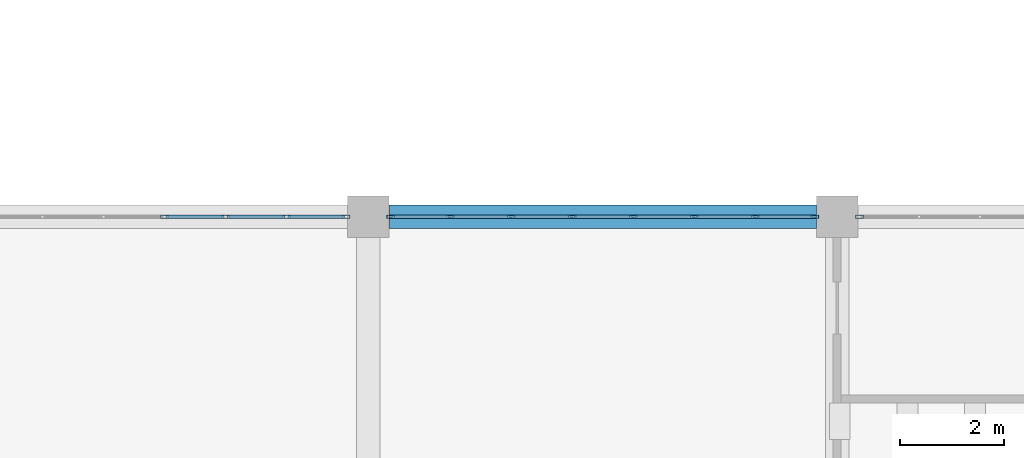
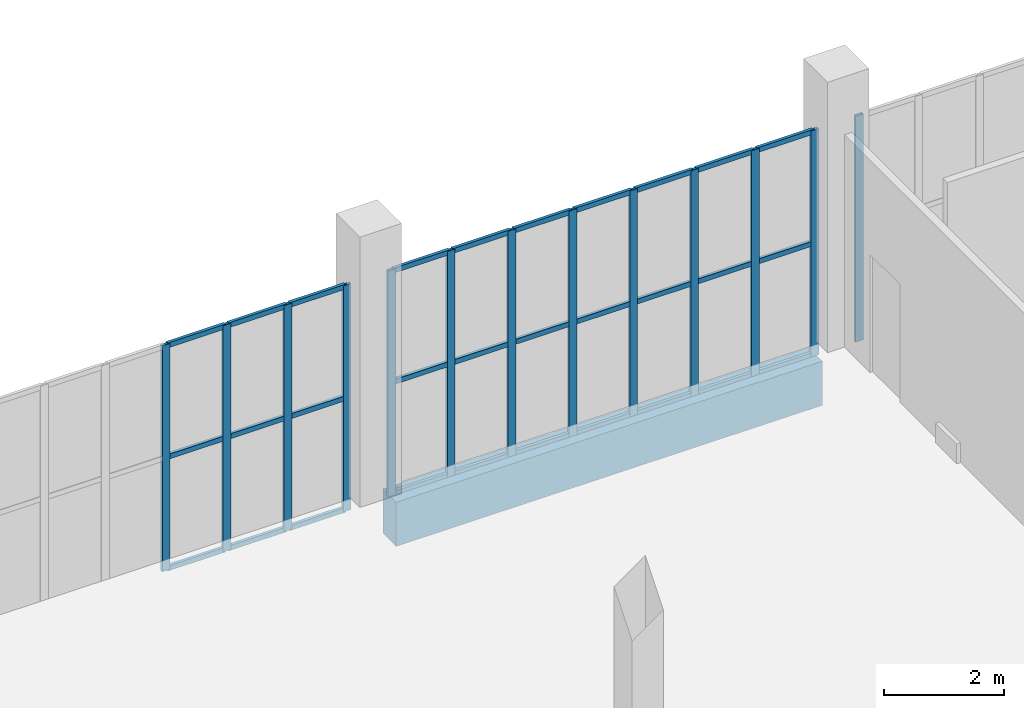
# One storey, part 36 of 185: 43 members, 1 beam, 3 elements without a shape of their own.
"""IFC4 building model written with IfcOpenShell, lengths in metres."""

from ifc_helpers import new_model, si_unit, direction, frame, origin, origin_2d, place, context, subcontext, project, spatial, rectangle, hollow_rectangle, extrude, material, layer, layer_set, material_profile, profile_set, type_object, element, aggregate, save


model = new_model("IFC4")

# Units and contexts
model_context = context("Model", 3, precision=1e-05, world=origin(), true_north=direction((0.0, 1.0)))
body_context = subcontext(model_context, "Body", "Model", "MODEL_VIEW")
ifc_project = project(units=[si_unit("LENGTHUNIT", "METRE"), si_unit("AREAUNIT", "SQUARE_METRE"), si_unit("VOLUMEUNIT", "CUBIC_METRE"), si_unit("PLANEANGLEUNIT", "RADIAN"), si_unit("MASSUNIT", "GRAM", prefix="KILO")], contexts=[model_context])

# Site, building, storey
site_placement = place(None, origin())
site = spatial("IfcSite", under=ifc_project, at=site_placement, CompositionType="ELEMENT")
building_placement = place(site_placement, origin())
building = spatial("IfcBuilding", under=site, at=building_placement, Name="Opaline Strait Convention Centre", CompositionType="ELEMENT")
storey_placement = place(building_placement, frame((0.0, 0.0, 6.0)))
storey = spatial("IfcBuildingStorey", under=building, at=storey_placement, Name="L01", CompositionType="ELEMENT", Elevation=6.0)

# Curtain wall, members
ifc_material_1 = material(Name="Aluminium framed double glazing", Category="aluminium")
ifc_layer = layer(ifc_material_1, 0.199951171875)
ifc_layer_set = layer_set([ifc_layer], Name="Aluminium framed double glazing")
curtain_wall_type = type_object("IfcCurtainWallType", Name="Curtain wall 1250", PredefinedType="NOTDEFINED", material=ifc_layer_set)
curtain_wall_1_placement = place(storey_placement, origin())
curtain_wall_1 = element("IfcCurtainWall", 1, at=curtain_wall_1_placement, inside=storey, type_object=curtain_wall_type, Name="Curtain wall N-36-L01", PredefinedType="NOTDEFINED")
ifc_material_2 = material(Name="Aluminium alloy 6063", Category="aluminium")
ifc_material_profile_1 = material_profile(ifc_material_2, hollow_rectangle(XDim=0.06005859375, YDim=0.14990234375, WallThickness=0.00390625, at=origin_2d()), Name="MULLION 60x150x4")
ifc_profile_set_1 = profile_set([ifc_material_profile_1], Name="Aluminium alloy 6063")
member_type_1 = type_object("IfcMemberType", Name="Curtain wall mullion 60 x 150", PredefinedType="MULLION", material=ifc_profile_set_1)
member_1_placement = place(storey_placement, frame((41.085693359375, 180.0, -0.280029296875), z_axis=(0.0, 0.0, 1.0), x_axis=(0.0, 1.0, 0.0)))
member_1 = element("IfcMember", 2, at=member_1_placement, type_object=member_type_1, Name="PCW mullion 5", PredefinedType="MULLION", context=body_context, shape_type="SweptSolid", body=[
    extrude(hollow_rectangle(XDim=0.06005859375, YDim=0.14990234375, WallThickness=0.00390625, at=origin_2d()), origin(), (0.0, 0.0, 1.0), 4.60009765625),
])
member_2_placement = place(storey_placement, frame((42.257080078125, 180.0, -0.280029296875), z_axis=(0.0, 0.0, 1.0), x_axis=(0.0, 1.0, 0.0)))
member_2 = element("IfcMember", 3, at=member_2_placement, type_object=member_type_1, Name="PCW mullion 6", PredefinedType="MULLION", context=body_context, shape_type="SweptSolid", body=[
    extrude(hollow_rectangle(XDim=0.06005859375, YDim=0.14990234375, WallThickness=0.00390625, at=origin_2d()), origin(), (0.0, 0.0, 1.0), 4.60009765625),
])
member_3_placement = place(storey_placement, frame((43.4287109375, 180.0, -0.280029296875), z_axis=(0.0, 0.0, 1.0), x_axis=(0.0, 1.0, 0.0)))
member_3 = element("IfcMember", 4, at=member_3_placement, type_object=member_type_1, Name="PCW mullion 7", PredefinedType="MULLION", context=body_context, shape_type="SweptSolid", body=[
    extrude(hollow_rectangle(XDim=0.06005859375, YDim=0.14990234375, WallThickness=0.00390625, at=origin_2d()), origin(), (0.0, 0.0, 1.0), 4.60009765625),
])
member_4_placement = place(storey_placement, frame((44.570068359375, 180.0, -0.280029296875), z_axis=(0.0, 0.0, 1.0), x_axis=(0.0, 1.0, 0.0)))
member_4 = element("IfcMember", 5, at=member_4_placement, type_object=member_type_1, Name="PCW mullion 8", PredefinedType="MULLION", context=body_context, shape_type="SweptSolid", body=[
    extrude(hollow_rectangle(XDim=0.06005859375, YDim=0.14990234375, WallThickness=0.00390625, at=origin_2d()), origin(), (0.0, 0.0, 1.0), 4.60009765625),
])

curtain_wall_2_placement = place(storey_placement, origin())
curtain_wall_2 = element("IfcCurtainWall", 6, at=curtain_wall_2_placement, inside=storey, type_object=curtain_wall_type, Name="Curtain wall N-45-L01", PredefinedType="NOTDEFINED")
member_5_placement = place(storey_placement, frame((45.429931640625, 180.0, -0.280029296875), z_axis=(0.0, 0.0, 1.0), x_axis=(0.0, 1.0, 0.0)))
member_5 = element("IfcMember", 7, at=member_5_placement, type_object=member_type_1, Name="PCW mullion 1", PredefinedType="MULLION", context=body_context, shape_type="SweptSolid", body=[
    extrude(hollow_rectangle(XDim=0.06005859375, YDim=0.14990234375, WallThickness=0.00390625, at=origin_2d()), origin(), (0.0, 0.0, 1.0), 4.60009765625),
])
member_6_placement = place(storey_placement, frame((46.5712890625, 180.0, -0.280029296875), z_axis=(0.0, 0.0, 1.0), x_axis=(0.0, 1.0, 0.0)))
member_6 = element("IfcMember", 8, at=member_6_placement, type_object=member_type_1, Name="PCW mullion 2", PredefinedType="MULLION", context=body_context, shape_type="SweptSolid", body=[
    extrude(hollow_rectangle(XDim=0.06005859375, YDim=0.14990234375, WallThickness=0.00390625, at=origin_2d()), origin(), (0.0, 0.0, 1.0), 4.60009765625),
])
member_7_placement = place(storey_placement, frame((47.742919921875, 180.0, -0.280029296875), z_axis=(0.0, 0.0, 1.0), x_axis=(0.0, 1.0, 0.0)))
member_7 = element("IfcMember", 9, at=member_7_placement, type_object=member_type_1, Name="PCW mullion 3", PredefinedType="MULLION", context=body_context, shape_type="SweptSolid", body=[
    extrude(hollow_rectangle(XDim=0.06005859375, YDim=0.14990234375, WallThickness=0.00390625, at=origin_2d()), origin(), (0.0, 0.0, 1.0), 4.60009765625),
])
member_8_placement = place(storey_placement, frame((48.914306640625, 180.0, -0.280029296875), z_axis=(0.0, 0.0, 1.0), x_axis=(0.0, 1.0, 0.0)))
member_8 = element("IfcMember", 10, at=member_8_placement, type_object=member_type_1, Name="PCW mullion 4", PredefinedType="MULLION", context=body_context, shape_type="SweptSolid", body=[
    extrude(hollow_rectangle(XDim=0.06005859375, YDim=0.14990234375, WallThickness=0.00390625, at=origin_2d()), origin(), (0.0, 0.0, 1.0), 4.60009765625),
])
member_9_placement = place(storey_placement, frame((50.085693359375, 180.0, -0.280029296875), z_axis=(0.0, 0.0, 1.0), x_axis=(0.0, 1.0, 0.0)))
member_9 = element("IfcMember", 11, at=member_9_placement, type_object=member_type_1, Name="PCW mullion 5", PredefinedType="MULLION", context=body_context, shape_type="SweptSolid", body=[
    extrude(hollow_rectangle(XDim=0.06005859375, YDim=0.14990234375, WallThickness=0.00390625, at=origin_2d()), origin(), (0.0, 0.0, 1.0), 4.60009765625),
])
member_10_placement = place(storey_placement, frame((51.257080078125, 180.0, -0.280029296875), z_axis=(0.0, 0.0, 1.0), x_axis=(0.0, 1.0, 0.0)))
member_10 = element("IfcMember", 12, at=member_10_placement, type_object=member_type_1, Name="PCW mullion 6", PredefinedType="MULLION", context=body_context, shape_type="SweptSolid", body=[
    extrude(hollow_rectangle(XDim=0.06005859375, YDim=0.14990234375, WallThickness=0.00390625, at=origin_2d()), origin(), (0.0, 0.0, 1.0), 4.60009765625),
])
member_11_placement = place(storey_placement, frame((52.4287109375, 180.0, -0.280029296875), z_axis=(0.0, 0.0, 1.0), x_axis=(0.0, 1.0, 0.0)))
member_11 = element("IfcMember", 13, at=member_11_placement, type_object=member_type_1, Name="PCW mullion 7", PredefinedType="MULLION", context=body_context, shape_type="SweptSolid", body=[
    extrude(hollow_rectangle(XDim=0.06005859375, YDim=0.14990234375, WallThickness=0.00390625, at=origin_2d()), origin(), (0.0, 0.0, 1.0), 4.60009765625),
])
member_12_placement = place(storey_placement, frame((53.570068359375, 180.0, -0.280029296875), z_axis=(0.0, 0.0, 1.0), x_axis=(0.0, 1.0, 0.0)))
member_12 = element("IfcMember", 14, at=member_12_placement, type_object=member_type_1, Name="PCW mullion 8", PredefinedType="MULLION", context=body_context, shape_type="SweptSolid", body=[
    extrude(hollow_rectangle(XDim=0.06005859375, YDim=0.14990234375, WallThickness=0.00390625, at=origin_2d()), origin(), (0.0, 0.0, 1.0), 4.60009765625),
])

# Curtain wall, member
curtain_wall_3_placement = place(storey_placement, origin())
curtain_wall_3 = element("IfcCurtainWall", 15, at=curtain_wall_3_placement, inside=storey, type_object=curtain_wall_type, Name="Curtain wall N-54-L01", PredefinedType="NOTDEFINED")
member_13_placement = place(storey_placement, frame((54.429931640625, 180.0, -0.280029296875), z_axis=(0.0, 0.0, 1.0), x_axis=(0.0, 1.0, 0.0)))
member_13 = element("IfcMember", 16, at=member_13_placement, type_object=member_type_1, Name="PCW mullion 1", PredefinedType="MULLION", context=body_context, shape_type="SweptSolid", body=[
    extrude(hollow_rectangle(XDim=0.06005859375, YDim=0.14990234375, WallThickness=0.00390625, at=origin_2d()), origin(), (0.0, 0.0, 1.0), 4.60009765625),
])
aggregate(curtain_wall_3, [member_13])

# Member
ifc_material_profile_2 = material_profile(ifc_material_2, hollow_rectangle(XDim=0.06005859375, YDim=0.10009765625, WallThickness=0.0029296875, at=origin_2d()), Name="TRANSOM 60x100x3")
ifc_profile_set_2 = profile_set([ifc_material_profile_2], Name="Aluminium alloy 6063")
member_type_2 = type_object("IfcMemberType", Name="Curtain wall transom 60 x 100", PredefinedType="USERDEFINED", material=ifc_profile_set_2)
member_14_placement = place(storey_placement, frame((41.11572265625, 180.0, -0.25), z_axis=(1.0, 0.0, 0.0), x_axis=(0.0, 1.0, 0.0)))
member_14 = element("IfcMember", 17, at=member_14_placement, type_object=member_type_2, Name="PCW transom 5.1", ObjectType="TRANSOM", PredefinedType="USERDEFINED", context=body_context, shape_type="SweptSolid", body=[
    extrude(hollow_rectangle(XDim=0.06005859375, YDim=0.10009765625, WallThickness=0.0029296875, at=origin_2d()), origin(), (0.0, 0.0, 1.0), 1.111572265625),
])

member_15_placement = place(storey_placement, frame((41.11572265625, 180.0, 2.02001953125), z_axis=(1.0, 0.0, 0.0), x_axis=(0.0, 1.0, 0.0)))
member_15 = element("IfcMember", 18, at=member_15_placement, type_object=member_type_2, Name="PCW transom 5.2", ObjectType="TRANSOM", PredefinedType="USERDEFINED", context=body_context, shape_type="SweptSolid", body=[
    extrude(hollow_rectangle(XDim=0.06005859375, YDim=0.10009765625, WallThickness=0.0029296875, at=origin_2d()), origin(), (0.0, 0.0, 1.0), 1.111572265625),
])

member_16_placement = place(storey_placement, frame((41.11572265625, 180.0, 4.2900390625), z_axis=(1.0, 0.0, 0.0), x_axis=(0.0, 1.0, 0.0)))
member_16 = element("IfcMember", 19, at=member_16_placement, type_object=member_type_2, Name="PCW transom 5.3", ObjectType="TRANSOM", PredefinedType="USERDEFINED", context=body_context, shape_type="SweptSolid", body=[
    extrude(hollow_rectangle(XDim=0.06005859375, YDim=0.10009765625, WallThickness=0.0029296875, at=origin_2d()), origin(), (0.0, 0.0, 1.0), 1.111572265625),
])

member_17_placement = place(storey_placement, frame((42.287109375, 180.0, -0.25), z_axis=(1.0, 0.0, 0.0), x_axis=(0.0, 1.0, 0.0)))
member_17 = element("IfcMember", 20, at=member_17_placement, type_object=member_type_2, Name="PCW transom 6.1", ObjectType="TRANSOM", PredefinedType="USERDEFINED", context=body_context, shape_type="SweptSolid", body=[
    extrude(hollow_rectangle(XDim=0.06005859375, YDim=0.10009765625, WallThickness=0.0029296875, at=origin_2d()), origin(), (0.0, 0.0, 1.0), 1.111572265625),
])

member_18_placement = place(storey_placement, frame((42.287109375, 180.0, 2.02001953125), z_axis=(1.0, 0.0, 0.0), x_axis=(0.0, 1.0, 0.0)))
member_18 = element("IfcMember", 21, at=member_18_placement, type_object=member_type_2, Name="PCW transom 6.2", ObjectType="TRANSOM", PredefinedType="USERDEFINED", context=body_context, shape_type="SweptSolid", body=[
    extrude(hollow_rectangle(XDim=0.06005859375, YDim=0.10009765625, WallThickness=0.0029296875, at=origin_2d()), origin(), (0.0, 0.0, 1.0), 1.111572265625),
])

member_19_placement = place(storey_placement, frame((42.287109375, 180.0, 4.2900390625), z_axis=(1.0, 0.0, 0.0), x_axis=(0.0, 1.0, 0.0)))
member_19 = element("IfcMember", 22, at=member_19_placement, type_object=member_type_2, Name="PCW transom 6.3", ObjectType="TRANSOM", PredefinedType="USERDEFINED", context=body_context, shape_type="SweptSolid", body=[
    extrude(hollow_rectangle(XDim=0.06005859375, YDim=0.10009765625, WallThickness=0.0029296875, at=origin_2d()), origin(), (0.0, 0.0, 1.0), 1.111572265625),
])

member_20_placement = place(storey_placement, frame((43.458740234375, 180.0, -0.25), z_axis=(1.0, 0.0, 0.0), x_axis=(0.0, 1.0, 0.0)))
member_20 = element("IfcMember", 23, at=member_20_placement, type_object=member_type_2, Name="PCW transom 7.1", ObjectType="TRANSOM", PredefinedType="USERDEFINED", context=body_context, shape_type="SweptSolid", body=[
    extrude(hollow_rectangle(XDim=0.06005859375, YDim=0.10009765625, WallThickness=0.0029296875, at=origin_2d()), origin(), (0.0, 0.0, 1.0), 1.081298828125),
])

member_21_placement = place(storey_placement, frame((43.458740234375, 180.0, 2.02001953125), z_axis=(1.0, 0.0, 0.0), x_axis=(0.0, 1.0, 0.0)))
member_21 = element("IfcMember", 24, at=member_21_placement, type_object=member_type_2, Name="PCW transom 7.2", ObjectType="TRANSOM", PredefinedType="USERDEFINED", context=body_context, shape_type="SweptSolid", body=[
    extrude(hollow_rectangle(XDim=0.06005859375, YDim=0.10009765625, WallThickness=0.0029296875, at=origin_2d()), origin(), (0.0, 0.0, 1.0), 1.081298828125),
])

member_22_placement = place(storey_placement, frame((43.458740234375, 180.0, 4.2900390625), z_axis=(1.0, 0.0, 0.0), x_axis=(0.0, 1.0, 0.0)))
member_22 = element("IfcMember", 25, at=member_22_placement, type_object=member_type_2, Name="PCW transom 7.3", ObjectType="TRANSOM", PredefinedType="USERDEFINED", context=body_context, shape_type="SweptSolid", body=[
    extrude(hollow_rectangle(XDim=0.06005859375, YDim=0.10009765625, WallThickness=0.0029296875, at=origin_2d()), origin(), (0.0, 0.0, 1.0), 1.081298828125),
])

aggregate(curtain_wall_1, [member_1, member_2, member_3, member_4, member_14, member_15, member_16, member_17, member_18, member_19, member_20, member_21, member_22])

member_23_placement = place(storey_placement, frame((45.4599609375, 180.0, -0.25), z_axis=(1.0, 0.0, 0.0), x_axis=(0.0, 1.0, 0.0)))
member_23 = element("IfcMember", 26, at=member_23_placement, type_object=member_type_2, Name="PCW transom 1.1", ObjectType="TRANSOM", PredefinedType="USERDEFINED", context=body_context, shape_type="SweptSolid", body=[
    extrude(hollow_rectangle(XDim=0.06005859375, YDim=0.10009765625, WallThickness=0.0029296875, at=origin_2d()), origin(), (0.0, 0.0, 1.0), 1.081298828125),
])

member_24_placement = place(storey_placement, frame((45.4599609375, 180.0, 2.02001953125), z_axis=(1.0, 0.0, 0.0), x_axis=(0.0, 1.0, 0.0)))
member_24 = element("IfcMember", 27, at=member_24_placement, type_object=member_type_2, Name="PCW transom 1.2", ObjectType="TRANSOM", PredefinedType="USERDEFINED", context=body_context, shape_type="SweptSolid", body=[
    extrude(hollow_rectangle(XDim=0.06005859375, YDim=0.10009765625, WallThickness=0.0029296875, at=origin_2d()), origin(), (0.0, 0.0, 1.0), 1.081298828125),
])

member_25_placement = place(storey_placement, frame((45.4599609375, 180.0, 4.2900390625), z_axis=(1.0, 0.0, 0.0), x_axis=(0.0, 1.0, 0.0)))
member_25 = element("IfcMember", 28, at=member_25_placement, type_object=member_type_2, Name="PCW transom 1.3", ObjectType="TRANSOM", PredefinedType="USERDEFINED", context=body_context, shape_type="SweptSolid", body=[
    extrude(hollow_rectangle(XDim=0.06005859375, YDim=0.10009765625, WallThickness=0.0029296875, at=origin_2d()), origin(), (0.0, 0.0, 1.0), 1.081298828125),
])

member_26_placement = place(storey_placement, frame((46.601318359375, 180.0, -0.25), z_axis=(1.0, 0.0, 0.0), x_axis=(0.0, 1.0, 0.0)))
member_26 = element("IfcMember", 29, at=member_26_placement, type_object=member_type_2, Name="PCW transom 2.1", ObjectType="TRANSOM", PredefinedType="USERDEFINED", context=body_context, shape_type="SweptSolid", body=[
    extrude(hollow_rectangle(XDim=0.06005859375, YDim=0.10009765625, WallThickness=0.0029296875, at=origin_2d()), origin(), (0.0, 0.0, 1.0), 1.111572265625),
])

member_27_placement = place(storey_placement, frame((46.601318359375, 180.0, 2.02001953125), z_axis=(1.0, 0.0, 0.0), x_axis=(0.0, 1.0, 0.0)))
member_27 = element("IfcMember", 30, at=member_27_placement, type_object=member_type_2, Name="PCW transom 2.2", ObjectType="TRANSOM", PredefinedType="USERDEFINED", context=body_context, shape_type="SweptSolid", body=[
    extrude(hollow_rectangle(XDim=0.06005859375, YDim=0.10009765625, WallThickness=0.0029296875, at=origin_2d()), origin(), (0.0, 0.0, 1.0), 1.111572265625),
])

member_28_placement = place(storey_placement, frame((46.601318359375, 180.0, 4.2900390625), z_axis=(1.0, 0.0, 0.0), x_axis=(0.0, 1.0, 0.0)))
member_28 = element("IfcMember", 31, at=member_28_placement, type_object=member_type_2, Name="PCW transom 2.3", ObjectType="TRANSOM", PredefinedType="USERDEFINED", context=body_context, shape_type="SweptSolid", body=[
    extrude(hollow_rectangle(XDim=0.06005859375, YDim=0.10009765625, WallThickness=0.0029296875, at=origin_2d()), origin(), (0.0, 0.0, 1.0), 1.111572265625),
])

member_29_placement = place(storey_placement, frame((47.772705078125, 180.0, -0.25), z_axis=(1.0, 0.0, 0.0), x_axis=(0.0, 1.0, 0.0)))
member_29 = element("IfcMember", 32, at=member_29_placement, type_object=member_type_2, Name="PCW transom 3.1", ObjectType="TRANSOM", PredefinedType="USERDEFINED", context=body_context, shape_type="SweptSolid", body=[
    extrude(hollow_rectangle(XDim=0.06005859375, YDim=0.10009765625, WallThickness=0.0029296875, at=origin_2d()), origin(), (0.0, 0.0, 1.0), 1.111572265625),
])

member_30_placement = place(storey_placement, frame((47.772705078125, 180.0, 2.02001953125), z_axis=(1.0, 0.0, 0.0), x_axis=(0.0, 1.0, 0.0)))
member_30 = element("IfcMember", 33, at=member_30_placement, type_object=member_type_2, Name="PCW transom 3.2", ObjectType="TRANSOM", PredefinedType="USERDEFINED", context=body_context, shape_type="SweptSolid", body=[
    extrude(hollow_rectangle(XDim=0.06005859375, YDim=0.10009765625, WallThickness=0.0029296875, at=origin_2d()), origin(), (0.0, 0.0, 1.0), 1.111572265625),
])

member_31_placement = place(storey_placement, frame((47.772705078125, 180.0, 4.2900390625), z_axis=(1.0, 0.0, 0.0), x_axis=(0.0, 1.0, 0.0)))
member_31 = element("IfcMember", 34, at=member_31_placement, type_object=member_type_2, Name="PCW transom 3.3", ObjectType="TRANSOM", PredefinedType="USERDEFINED", context=body_context, shape_type="SweptSolid", body=[
    extrude(hollow_rectangle(XDim=0.06005859375, YDim=0.10009765625, WallThickness=0.0029296875, at=origin_2d()), origin(), (0.0, 0.0, 1.0), 1.111572265625),
])

member_32_placement = place(storey_placement, frame((48.9443359375, 180.0, -0.25), z_axis=(1.0, 0.0, 0.0), x_axis=(0.0, 1.0, 0.0)))
member_32 = element("IfcMember", 35, at=member_32_placement, type_object=member_type_2, Name="PCW transom 4.1", ObjectType="TRANSOM", PredefinedType="USERDEFINED", context=body_context, shape_type="SweptSolid", body=[
    extrude(hollow_rectangle(XDim=0.06005859375, YDim=0.10009765625, WallThickness=0.0029296875, at=origin_2d()), origin(), (0.0, 0.0, 1.0), 1.111328125),
])

member_33_placement = place(storey_placement, frame((48.9443359375, 180.0, 2.02001953125), z_axis=(1.0, 0.0, 0.0), x_axis=(0.0, 1.0, 0.0)))
member_33 = element("IfcMember", 36, at=member_33_placement, type_object=member_type_2, Name="PCW transom 4.2", ObjectType="TRANSOM", PredefinedType="USERDEFINED", context=body_context, shape_type="SweptSolid", body=[
    extrude(hollow_rectangle(XDim=0.06005859375, YDim=0.10009765625, WallThickness=0.0029296875, at=origin_2d()), origin(), (0.0, 0.0, 1.0), 1.111328125),
])

member_34_placement = place(storey_placement, frame((48.9443359375, 180.0, 4.2900390625), z_axis=(1.0, 0.0, 0.0), x_axis=(0.0, 1.0, 0.0)))
member_34 = element("IfcMember", 37, at=member_34_placement, type_object=member_type_2, Name="PCW transom 4.3", ObjectType="TRANSOM", PredefinedType="USERDEFINED", context=body_context, shape_type="SweptSolid", body=[
    extrude(hollow_rectangle(XDim=0.06005859375, YDim=0.10009765625, WallThickness=0.0029296875, at=origin_2d()), origin(), (0.0, 0.0, 1.0), 1.111328125),
])

member_35_placement = place(storey_placement, frame((50.11572265625, 180.0, -0.25), z_axis=(1.0, 0.0, 0.0), x_axis=(0.0, 1.0, 0.0)))
member_35 = element("IfcMember", 38, at=member_35_placement, type_object=member_type_2, Name="PCW transom 5.1", ObjectType="TRANSOM", PredefinedType="USERDEFINED", context=body_context, shape_type="SweptSolid", body=[
    extrude(hollow_rectangle(XDim=0.06005859375, YDim=0.10009765625, WallThickness=0.0029296875, at=origin_2d()), origin(), (0.0, 0.0, 1.0), 1.111572265625),
])

member_36_placement = place(storey_placement, frame((50.11572265625, 180.0, 2.02001953125), z_axis=(1.0, 0.0, 0.0), x_axis=(0.0, 1.0, 0.0)))
member_36 = element("IfcMember", 39, at=member_36_placement, type_object=member_type_2, Name="PCW transom 5.2", ObjectType="TRANSOM", PredefinedType="USERDEFINED", context=body_context, shape_type="SweptSolid", body=[
    extrude(hollow_rectangle(XDim=0.06005859375, YDim=0.10009765625, WallThickness=0.0029296875, at=origin_2d()), origin(), (0.0, 0.0, 1.0), 1.111572265625),
])

member_37_placement = place(storey_placement, frame((50.11572265625, 180.0, 4.2900390625), z_axis=(1.0, 0.0, 0.0), x_axis=(0.0, 1.0, 0.0)))
member_37 = element("IfcMember", 40, at=member_37_placement, type_object=member_type_2, Name="PCW transom 5.3", ObjectType="TRANSOM", PredefinedType="USERDEFINED", context=body_context, shape_type="SweptSolid", body=[
    extrude(hollow_rectangle(XDim=0.06005859375, YDim=0.10009765625, WallThickness=0.0029296875, at=origin_2d()), origin(), (0.0, 0.0, 1.0), 1.111572265625),
])

member_38_placement = place(storey_placement, frame((51.287109375, 180.0, -0.25), z_axis=(1.0, 0.0, 0.0), x_axis=(0.0, 1.0, 0.0)))
member_38 = element("IfcMember", 41, at=member_38_placement, type_object=member_type_2, Name="PCW transom 6.1", ObjectType="TRANSOM", PredefinedType="USERDEFINED", context=body_context, shape_type="SweptSolid", body=[
    extrude(hollow_rectangle(XDim=0.06005859375, YDim=0.10009765625, WallThickness=0.0029296875, at=origin_2d()), origin(), (0.0, 0.0, 1.0), 1.111572265625),
])

member_39_placement = place(storey_placement, frame((51.287109375, 180.0, 2.02001953125), z_axis=(1.0, 0.0, 0.0), x_axis=(0.0, 1.0, 0.0)))
member_39 = element("IfcMember", 42, at=member_39_placement, type_object=member_type_2, Name="PCW transom 6.2", ObjectType="TRANSOM", PredefinedType="USERDEFINED", context=body_context, shape_type="SweptSolid", body=[
    extrude(hollow_rectangle(XDim=0.06005859375, YDim=0.10009765625, WallThickness=0.0029296875, at=origin_2d()), origin(), (0.0, 0.0, 1.0), 1.111572265625),
])

member_40_placement = place(storey_placement, frame((51.287109375, 180.0, 4.2900390625), z_axis=(1.0, 0.0, 0.0), x_axis=(0.0, 1.0, 0.0)))
member_40 = element("IfcMember", 43, at=member_40_placement, type_object=member_type_2, Name="PCW transom 6.3", ObjectType="TRANSOM", PredefinedType="USERDEFINED", context=body_context, shape_type="SweptSolid", body=[
    extrude(hollow_rectangle(XDim=0.06005859375, YDim=0.10009765625, WallThickness=0.0029296875, at=origin_2d()), origin(), (0.0, 0.0, 1.0), 1.111572265625),
])

member_41_placement = place(storey_placement, frame((52.458740234375, 180.0, -0.25), z_axis=(1.0, 0.0, 0.0), x_axis=(0.0, 1.0, 0.0)))
member_41 = element("IfcMember", 44, at=member_41_placement, type_object=member_type_2, Name="PCW transom 7.1", ObjectType="TRANSOM", PredefinedType="USERDEFINED", context=body_context, shape_type="SweptSolid", body=[
    extrude(hollow_rectangle(XDim=0.06005859375, YDim=0.10009765625, WallThickness=0.0029296875, at=origin_2d()), origin(), (0.0, 0.0, 1.0), 1.081298828125),
])

member_42_placement = place(storey_placement, frame((52.458740234375, 180.0, 2.02001953125), z_axis=(1.0, 0.0, 0.0), x_axis=(0.0, 1.0, 0.0)))
member_42 = element("IfcMember", 45, at=member_42_placement, type_object=member_type_2, Name="PCW transom 7.2", ObjectType="TRANSOM", PredefinedType="USERDEFINED", context=body_context, shape_type="SweptSolid", body=[
    extrude(hollow_rectangle(XDim=0.06005859375, YDim=0.10009765625, WallThickness=0.0029296875, at=origin_2d()), origin(), (0.0, 0.0, 1.0), 1.081298828125),
])

member_43_placement = place(storey_placement, frame((52.458740234375, 180.0, 4.2900390625), z_axis=(1.0, 0.0, 0.0), x_axis=(0.0, 1.0, 0.0)))
member_43 = element("IfcMember", 46, at=member_43_placement, type_object=member_type_2, Name="PCW transom 7.3", ObjectType="TRANSOM", PredefinedType="USERDEFINED", context=body_context, shape_type="SweptSolid", body=[
    extrude(hollow_rectangle(XDim=0.06005859375, YDim=0.10009765625, WallThickness=0.0029296875, at=origin_2d()), origin(), (0.0, 0.0, 1.0), 1.081298828125),
])

aggregate(curtain_wall_2, [member_5, member_6, member_7, member_8, member_9, member_10, member_11, member_12, member_23, member_24, member_25, member_26, member_27, member_28, member_29, member_30, member_31, member_32, member_33, member_34, member_35, member_36, member_37, member_38, member_39, member_40, member_41, member_42, member_43])

# Beam
ifc_material_3 = material(Name="Concrete C35", Category="concrete")
ifc_material_profile_3 = material_profile(ifc_material_3, rectangle(XDim=0.449951171875, YDim=0.89990234375, at=origin_2d()), Name="RC 450x900")
ifc_profile_set_3 = profile_set([ifc_material_profile_3], Name="Concrete C35")
beam_type = type_object("IfcBeamType", Name="RC floor beam 450x900 C35", PredefinedType="BEAM", material=ifc_profile_set_3)
beam_placement = place(storey_placement, frame((45.39990234375, 180.0, -0.72998046875), z_axis=(1.0, 0.0, 0.0), x_axis=(0.0, 1.0, 0.0)))
element("IfcBeam", 47, at=beam_placement, inside=storey, type_object=beam_type, Name="PFB1 L01 beam 6/W-7/W", PredefinedType="BEAM", context=body_context, shape_type="SweptSolid", body=[
    extrude(rectangle(XDim=0.449951171875, YDim=0.89990234375, at=origin_2d()), origin(), (0.0, 0.0, 1.0), 8.2001953125),
])

save(model, "model.ifc")
